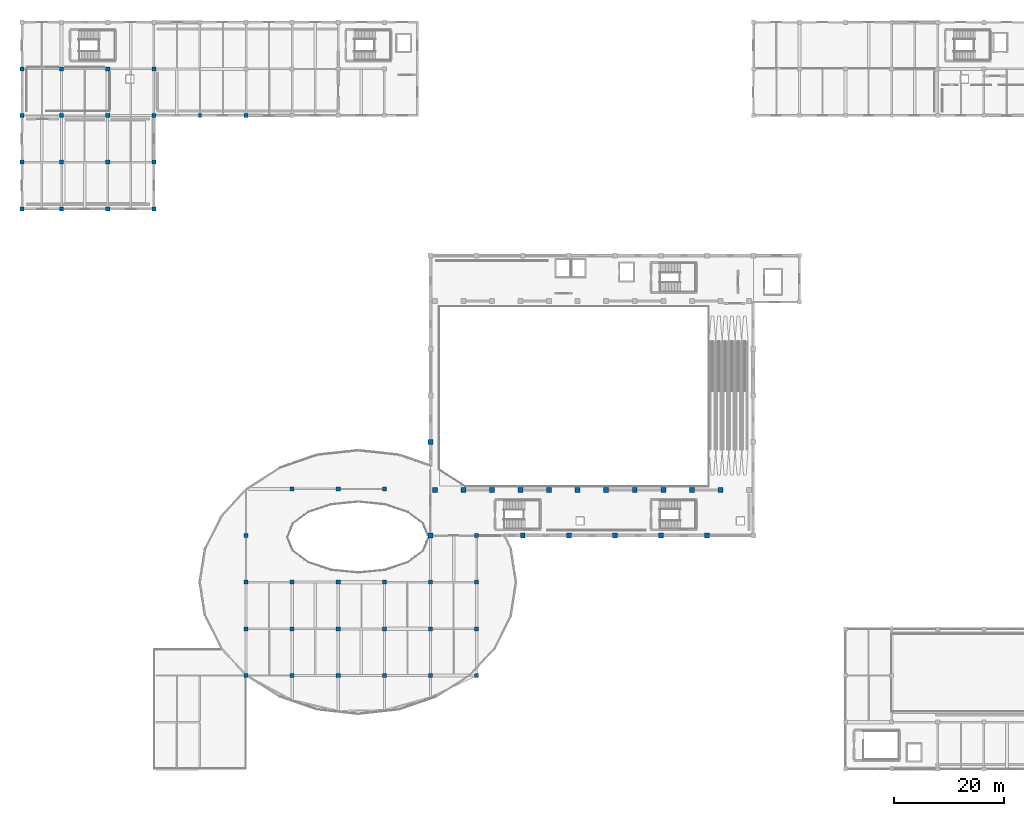
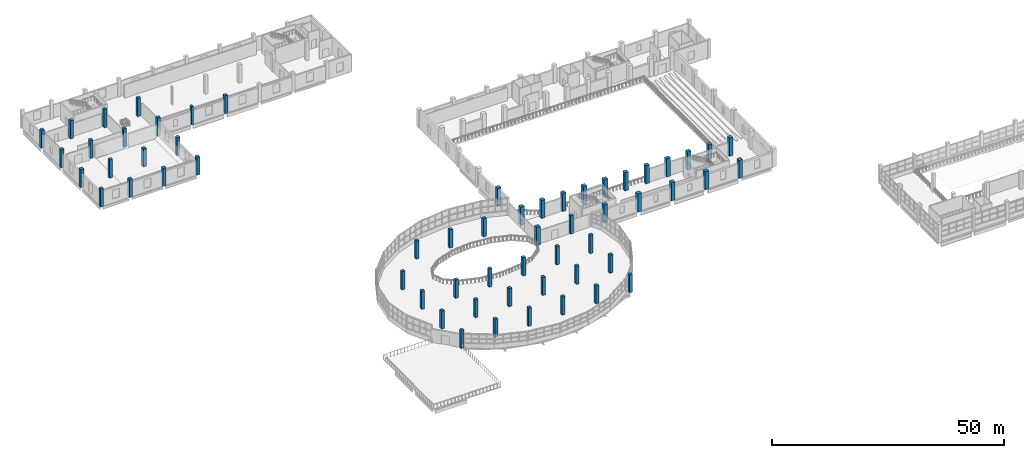
# One storey, part 1 of 77: 59 columns.
"""IFC4 building model written with IfcOpenShell, lengths in metres."""

import ifcopenshell
import ifcopenshell.guid

model = None  # the IFC model being written
_history = None  # IfcOwnerHistory: only IFC2X3 demands one
_inside = {}  # id of a spatial element -> (the spatial element, [elements in it])
_under = {}  # id of a project, library or spatial element -> (it, [spatial elements below it])
_declared = {}  # id of a project -> (the project, [libraries it declares])
_typed = {}  # id of a type object -> (the type object, [elements of that type])
_made_of = {}  # id of a material, layer set ... -> (it, [elements and type objects made of it])


def new_model(schema):
    """Start an empty IFC model of exactly this schema.

    Asked for "IFC4X3", IfcOpenShell would pick the latest addendum, in which some entities
    have other attributes; the version numbers below select the first issue.
    IFC2X3 requires an IfcOwnerHistory on every rooted entity: one is made here for all.
    """
    global model, _history
    if schema == "IFC4X3":
        model = ifcopenshell.file(schema_version=(4, 3, 0, 0))
    else:
        model = ifcopenshell.file(schema=schema)
    _inside.clear()
    _under.clear()
    _declared.clear()
    _typed.clear()
    _made_of.clear()
    _history = None
    if model.schema == "IFC2X3":
        org = make("IfcOrganization", Name="unknown")
        user = make(
            "IfcPersonAndOrganization",
            ThePerson=make("IfcPerson", FamilyName="unknown"),
            TheOrganization=org,
        )
        app = make(
            "IfcApplication",
            ApplicationDeveloper=org,
            Version="unknown",
            ApplicationFullName="unknown",
            ApplicationIdentifier="unknown",
        )
        _history = make(
            "IfcOwnerHistory",
            OwningUser=user,
            OwningApplication=app,
            ChangeAction="ADDED",
            CreationDate=0,
        )
    return model


def make(cls, **values):
    """One entity of the class cls with the attributes given. An attribute that is None is left unset."""
    return model.create_entity(
        cls, **{name: value for name, value in values.items() if value is not None}
    )


def rooted(cls, **values):
    """An entity with a GlobalId (a new one), such as an element, a storey or a relation."""
    return make(cls, GlobalId=ifcopenshell.guid.new(), OwnerHistory=_history, **values)


def si_unit(unit_type, name, prefix=None):
    """IfcSIUnit, for example si_unit("LENGTHUNIT", "METRE", prefix="MILLI")."""
    return make("IfcSIUnit", UnitType=unit_type, Prefix=prefix, Name=name)


def assignment(units):
    """IfcUnitAssignment: the units of a project."""
    return None if units is None else make("IfcUnitAssignment", Units=units)


def point(xyz):
    """IfcCartesianPoint."""
    return None if xyz is None else make("IfcCartesianPoint", Coordinates=xyz)


def direction(xyz):
    """IfcDirection."""
    return None if xyz is None else make("IfcDirection", DirectionRatios=xyz)


def frame(location, z_axis=None, x_axis=None):
    """IfcAxis2Placement3D, a coordinate frame: its origin and axes. An axis left out is left unset."""
    return make(
        "IfcAxis2Placement3D",
        Location=point(location),
        Axis=direction(z_axis),
        RefDirection=direction(x_axis),
    )


def frame_2d(location, x_axis=None):
    """IfcAxis2Placement2D, a coordinate frame in the plane: its origin and x axis."""
    return make(
        "IfcAxis2Placement2D", Location=point(location), RefDirection=direction(x_axis)
    )


def origin():
    """The frame at (0, 0, 0) with its axes left unset."""
    return frame((0.0, 0.0, 0.0))


def origin_2d():
    """The frame at (0, 0) in the plane with its x axis left unset."""
    return frame_2d((0.0, 0.0))


def place(relative_to, where):
    """IfcLocalPlacement: puts the frame where relative to a parent placement (None: the world)."""
    return make(
        "IfcLocalPlacement", PlacementRelTo=relative_to, RelativePlacement=where
    )


def context(
    kind, dimensions, precision=None, world=None, true_north=None, identifier=None
):
    """IfcGeometricRepresentationContext, for example the 3D "Model" context."""
    return make(
        "IfcGeometricRepresentationContext",
        ContextIdentifier=identifier,
        ContextType=kind,
        CoordinateSpaceDimension=dimensions,
        Precision=precision,
        WorldCoordinateSystem=world,
        TrueNorth=true_north,
    )


def subcontext(parent, identifier, kind, view, scale=None):
    """IfcGeometricRepresentationSubContext, for example "Body" below "Model"."""
    return make(
        "IfcGeometricRepresentationSubContext",
        ContextIdentifier=identifier,
        ContextType=kind,
        ParentContext=parent,
        TargetScale=scale,
        TargetView=view,
    )


def project(units=None, contexts=None):
    """IfcProject with its units and contexts."""
    return rooted(
        "IfcProject",
        Name="project",
        RepresentationContexts=contexts,
        UnitsInContext=assignment(units),
    )


def spatial(cls, under=None, at=None, **own):
    """A site, building, storey or space (cls), placed at a placement, below another one or the project."""
    s = rooted(cls, ObjectPlacement=at, **own)
    if under is not None:
        _under.setdefault(under.id(), (under, []))[1].append(s)
    return s


def profile(cls, at=None, kind="AREA", **sizes):
    """A parametric profile (cls). Its sizes go by their IFC names, for example OverallWidth=200.0."""
    return make(cls, ProfileType=kind, Position=at, **sizes)


def rectangle(**sizes):
    """IfcRectangleProfileDef."""
    return profile("IfcRectangleProfileDef", **sizes)


def extrude(swept, where, along, depth):
    """IfcExtrudedAreaSolid: the profile swept, set in the frame where, extruded along a direction by depth."""
    return make(
        "IfcExtrudedAreaSolid",
        SweptArea=swept,
        Position=where,
        ExtrudedDirection=direction(along),
        Depth=depth,
    )


def shape(context_of_items, identifier, shape_type, items):
    """IfcShapeRepresentation: the items that make up one representation, for example the "Body"."""
    return make(
        "IfcShapeRepresentation",
        ContextOfItems=context_of_items,
        RepresentationIdentifier=identifier,
        RepresentationType=shape_type,
        Items=items,
    )


def material(Name=None, Category=None):
    """IfcMaterial."""
    return make("IfcMaterial", Name=Name, Category=Category)


def material_profile(
    of_material, cross_section, Name=None, Category=None, Priority=None
):
    """IfcMaterialProfile: a cross section and its material."""
    return make(
        "IfcMaterialProfile",
        Name=Name,
        Material=of_material,
        Profile=cross_section,
        Priority=Priority,
        Category=Category,
    )


def profile_set(profiles, Name=None, composite=None):
    """IfcMaterialProfileSet."""
    return make(
        "IfcMaterialProfileSet",
        Name=Name,
        MaterialProfiles=profiles,
        CompositeProfile=composite,
    )


def made_of(thing, what):
    """Note that an element or type object is made of a material, layer set ...; save() writes the relation."""
    if what is not None:
        _made_of.setdefault(what.id(), (what, []))[1].append(thing)
    return thing


def type_object(cls, material=None, **own):
    """A type object (cls), such as IfcWallType, which elements share."""
    return made_of(rooted(cls, **own), material)


def element(
    cls,
    number,
    at=None,
    inside=None,
    cuts=None,
    type_object=None,
    material=None,
    context=None,
    identifier="Body",
    shape_type=None,
    held_by="IfcProductDefinitionShape",
    body=None,
    shapes=None,
    **own,
):
    """One element of the class cls, such as IfcWall. Its Tag is "e" and its number.

    at: its placement. inside: the storey or other place that contains it. cuts: it is an
    opening in that element (IfcRelVoidsElement). A single representation is given by context,
    identifier, shape_type and body (its items); several are given by shapes. held_by: the class
    of the entity that holds the representations. save() writes the other relations.
    """
    e = rooted(cls, Tag="e%d" % number, ObjectPlacement=at, **own)
    if body is not None:
        shapes = [shape(context, identifier, shape_type, body)]
    if shapes is not None:
        e.Representation = make(held_by, Representations=shapes)
    if inside is not None:
        _inside.setdefault(inside.id(), (inside, []))[1].append(e)
    if cuts is not None:
        rooted(
            "IfcRelVoidsElement", RelatingBuildingElement=cuts, RelatedOpeningElement=e
        )
    if type_object is not None:
        _typed.setdefault(type_object.id(), (type_object, []))[1].append(e)
    return made_of(e, material)


def aggregate(whole, parts):
    """IfcRelAggregates: a whole, such as a stair, and the parts it consists of."""
    return rooted("IfcRelAggregates", RelatingObject=whole, RelatedObjects=parts)


def save(model, path):
    """Write the relations noted so far, then the file.

    IfcRelAggregates (storeys below a building ...), IfcRelContainedInSpatialStructure (elements
    in a storey), IfcRelDefinesByType, IfcRelAssociatesMaterial and IfcRelDeclares: one each for
    every whole, place, type object, material and project.
    """
    for whole, parts in _under.values():
        aggregate(whole, parts)
    for where, things in _inside.values():
        rooted(
            "IfcRelContainedInSpatialStructure",
            RelatedElements=things,
            RelatingStructure=where,
        )
    for kind, things in _typed.values():
        rooted("IfcRelDefinesByType", RelatedObjects=things, RelatingType=kind)
    for what, things in _made_of.values():
        rooted("IfcRelAssociatesMaterial", RelatedObjects=things, RelatingMaterial=what)
    for by, libraries in _declared.values():
        rooted("IfcRelDeclares", RelatingContext=by, RelatedDefinitions=libraries)
    model.write(path)


model = new_model("IFC4")

# Units and contexts
model_context = context("Model", 3, precision=1e-05, world=origin(), true_north=direction((0.0, 1.0)))
body_context = subcontext(model_context, "Body", "Model", "MODEL_VIEW")
ifc_project = project(units=[si_unit("LENGTHUNIT", "METRE"), si_unit("AREAUNIT", "SQUARE_METRE"), si_unit("VOLUMEUNIT", "CUBIC_METRE"), si_unit("PLANEANGLEUNIT", "RADIAN"), si_unit("MASSUNIT", "GRAM", prefix="KILO")], contexts=[model_context])

# Site, building, storey
site_placement = place(None, origin())
site = spatial("IfcSite", under=ifc_project, at=site_placement, CompositionType="ELEMENT")
building_placement = place(site_placement, origin())
building = spatial("IfcBuilding", under=site, at=building_placement, Name="Solvento Point Concert Hall", CompositionType="ELEMENT")
storey_placement = place(building_placement, frame((0.0, 0.0, 10.199951171875)))
storey = spatial("IfcBuildingStorey", under=building, at=storey_placement, Name="L02", CompositionType="ELEMENT", Elevation=10.199951171875)

# Columns
ifc_material_1 = material(Name="Concrete C40/50", Category="concrete")
ifc_material_profile_1 = material_profile(ifc_material_1, rectangle(XDim=0.75, YDim=0.75, at=origin_2d()), Name="RC-COL-750X750")
ifc_profile_set_1 = profile_set([ifc_material_profile_1], Name="Concrete C40/50")
column_type_1 = type_object("IfcColumnType", Name="Col_RC_750", PredefinedType="COLUMN", material=ifc_profile_set_1)
for number, where, z_axis, x_axis, name in (
    (1, (0.0, 102.0, 0.0), (0.0, 0.0, 1.0), (1.0, 0.0, 0.0), "Column C-29 01/N L02"),
    (2, (0.0, 110.5, 0.0), (0.0, 0.0, 1.0), (1.0, 0.0, 0.0), "Column C-29 01/P L02"),
    (3, (0.0, 119.0, 0.0), (0.0, 0.0, 1.0), (1.0, 0.0, 0.0), "Column C-29 01/Q L02"),
    (4, (0.0, 127.5, 0.0), (0.0, 0.0, 1.0), (1.0, 0.0, 0.0), "Column C-29 01/R L02"),
    (5, (7.199951171875, 102.0, 0.0), (0.0, 0.0, 1.0), (1.0, 0.0, 0.0), "Column C-29 02/N L02"),
    (6, (7.199951171875, 110.5, 0.0), (0.0, 0.0, 1.0), (1.0, 0.0, 0.0), "Column C-29 02/P L02"),
    (7, (7.199951171875, 119.0, 0.0), (0.0, 0.0, 1.0), (1.0, 0.0, 0.0), "Column C-29 02/Q L02"),
    (8, (7.199951171875, 127.5, 0.0), (0.0, 0.0, 1.0), (1.0, 0.0, 0.0), "Column C-29 02/R L02"),
    (9, (15.60009765625, 102.0, 0.0), (0.0, 0.0, 1.0), (1.0, 0.0, 0.0), "Column C-29 03/N L02"),
    (10, (15.60009765625, 110.5, 0.0), (0.0, 0.0, 1.0), (1.0, 0.0, 0.0), "Column C-29 03/P L02"),
    (11, (15.60009765625, 119.0, 0.0), (0.0, 0.0, 1.0), (1.0, 0.0, 0.0), "Column C-29 03/Q L02"),
    (12, (15.60009765625, 127.5, 0.0), (0.0, 0.0, 1.0), (1.0, 0.0, 0.0), "Column C-29 03/R L02"),
    (13, (24.0, 102.0, 0.0), (0.0, 0.0, 1.0), (1.0, 0.0, 0.0), "Column C-29 04/N L02"),
    (14, (24.0, 110.5, 0.0), (0.0, 0.0, 1.0), (1.0, 0.0, 0.0), "Column C-29 04/P L02"),
    (15, (24.0, 119.0, 0.0), (0.0, 0.0, 1.0), (1.0, 0.0, 0.0), "Column C-29 04/Q L02"),
    (16, (24.0, 127.5, 0.0), (0.0, 0.0, 1.0), (1.0, 0.0, 0.0), "Column C-29 04/R L02"),
    (17, (40.800048828125, 17.0, 0.0), (0.0, 0.0, 1.0), (1.0, 0.0, 0.0), "Column C-29 06/C L02"),
    (18, (40.800048828125, 25.5, 0.0), (0.0, 0.0, 1.0), (1.0, 0.0, 0.0), "Column C-29 06/D L02"),
    (19, (40.800048828125, 34.0, 0.0), (0.0, 0.0, 1.0), (1.0, 0.0, 0.0), "Column C-29 06/E L02"),
    (20, (40.800048828125, 42.5, 0.0), (0.0, 0.0, 1.0), (1.0, 0.0, 0.0), "Column C-29 06/F L02"),
    (21, (40.800048828125, 119.0, 0.0), (0.0, 0.0, 1.0), (1.0, 0.0, 0.0), "Column C-29 06/Q L02"),
    (22, (49.199951171875, 17.0, 0.0), (0.0, 0.0, 1.0), (1.0, 0.0, 0.0), "Column C-29 07/C L02"),
    (23, (49.199951171875, 25.5, 0.0), (0.0, 0.0, 1.0), (1.0, 0.0, 0.0), "Column C-29 07/D L02"),
    (24, (49.199951171875, 34.0, 0.0), (0.0, 0.0, 1.0), (1.0, 0.0, 0.0), "Column C-29 07/E L02"),
    (25, (49.199951171875, 51.0, 0.0), (0.0, 0.0, 1.0), (1.0, 0.0, 0.0), "Column C-29 07/G L02"),
    (26, (57.60009765625, 17.0, 0.0), (0.0, 0.0, 1.0), (1.0, 0.0, 0.0), "Column C-29 08/C L02"),
    (27, (57.60009765625, 25.5, 0.0), (0.0, 0.0, 1.0), (1.0, 0.0, 0.0), "Column C-29 08/D L02"),
    (28, (57.60009765625, 34.0, 0.0), (0.0, 0.0, 1.0), (1.0, 0.0, 0.0), "Column C-29 08/E L02"),
    (29, (57.60009765625, 51.0, 0.0), (0.0, 0.0, 1.0), (1.0, 0.0, 0.0), "Column C-29 08/G L02"),
    (30, (66.0, 17.0, 0.0), (0.0, 0.0, 1.0), (1.0, 0.0, 0.0), "Column C-29 09/C L02"),
    (31, (66.0, 25.5, 0.0), (0.0, 0.0, 1.0), (1.0, 0.0, 0.0), "Column C-29 09/D L02"),
    (32, (66.0, 34.0, 0.0), (0.0, 0.0, 1.0), (1.0, 0.0, 0.0), "Column C-29 09/E L02"),
    (33, (66.0, 51.0, 0.0), (0.0, 0.0, 1.0), (1.0, 0.0, 0.0), "Column C-29 09/G L02"),
    (34, (74.39990234375, 17.0, 0.0), (0.0, 0.0, 1.0), (1.0, 0.0, 0.0), "Column C-29 10/C L02"),
    (35, (74.39990234375, 25.5, 0.0), (0.0, 0.0, 1.0), (1.0, 0.0, 0.0), "Column C-29 10/D L02"),
    (36, (74.39990234375, 34.0, 0.0), (0.0, 0.0, 1.0), (1.0, 0.0, 0.0), "Column C-29 10/E L02"),
    (37, (82.800048828125, 17.0, 0.0), (0.0, 0.0, 1.0), (1.0, 0.0, 0.0), "Column C-29 11/C L02"),
    (38, (82.800048828125, 25.5, 0.0), (0.0, 0.0, 1.0), (1.0, 0.0, 0.0), "Column C-29 11/D L02"),
    (39, (82.800048828125, 34.0, 0.0), (0.0, 0.0, 1.0), (1.0, 0.0, 0.0), "Column C-29 11/E L02"),
    (40, (82.800048828125, 42.5, 0.0), (0.0, 0.0, 1.0), (1.0, 0.0, 0.0), "Column C-29 11/F L02"),
):
    element("IfcColumn", number, at=place(storey_placement, frame(where, z_axis=z_axis, x_axis=x_axis)), inside=storey, type_object=column_type_1, Name=name, PredefinedType="COLUMN", context=body_context, shape_type="SweptSolid", body=[
        extrude(rectangle(XDim=0.75, YDim=0.75, at=origin_2d()), origin(), (0.0, 0.0, 1.0), 4.800048828125),
    ])
ifc_material_2 = material(Name="Concrete C40/50", Category="concrete")
ifc_material_profile_2 = material_profile(ifc_material_2, rectangle(XDim=0.89990234375, YDim=0.89990234375, at=origin_2d()), Name="RC-COL-900X900")
ifc_profile_set_2 = profile_set([ifc_material_profile_2], Name="Concrete C40/50")
column_type_2 = type_object("IfcColumnType", Name="Col_RC_900", PredefinedType="COLUMN", material=ifc_profile_set_2)
for number, where, z_axis, x_axis, name in (
    (41, (74.39990234375, 42.5, 0.0), (0.0, 0.0, 1.0), (1.0, 0.0, 0.0), "Column C-14 10/F L02"),
    (42, (74.39990234375, 59.5, 0.0), (0.0, 0.0, 1.0), (1.0, 0.0, 0.0), "Column C-14 10/H L02"),
    (43, (91.199951171875, 42.5, 0.0), (0.0, 0.0, 1.0), (1.0, 0.0, 0.0), "Column C-14 12/F L02"),
    (44, (99.60009765625, 42.5, 0.0), (0.0, 0.0, 1.0), (1.0, 0.0, 0.0), "Column C-14 13/F L02"),
    (45, (108.0, 42.5, 0.0), (0.0, 0.0, 1.0), (1.0, 0.0, 0.0), "Column C-14 14/F L02"),
    (46, (116.39990234375, 42.5, 0.0), (0.0, 0.0, 1.0), (1.0, 0.0, 0.0), "Column C-14 15/F L02"),
    (47, (124.800048828125, 42.5, 0.0), (0.0, 0.0, 1.0), (1.0, 0.0, 0.0), "Column C-14 16/F L02"),
    (48, (75.199951171875, 50.800048828125, 0.0), (0.0, 0.0, 1.0), (1.0, 0.0, 0.0), "Symphonic drum column C-14 DS01 L02"),
    (49, (80.39990234375, 50.800048828125, 0.0), (0.0, 0.0, 1.0), (1.0, 0.0, 0.0), "Symphonic drum column C-14 DS02 L02"),
    (50, (85.60009765625, 50.800048828125, 0.0), (0.0, 0.0, 1.0), (1.0, 0.0, 0.0), "Symphonic drum column C-14 DS03 L02"),
    (51, (90.800048828125, 50.800048828125, 0.0), (0.0, 0.0, 1.0), (1.0, 0.0, 0.0), "Symphonic drum column C-14 DS04 L02"),
    (52, (96.0, 50.800048828125, 0.0), (0.0, 0.0, 1.0), (1.0, 0.0, 0.0), "Symphonic drum column C-14 DS05 L02"),
    (53, (101.199951171875, 50.800048828125, 0.0), (0.0, 0.0, 1.0), (1.0, 0.0, 0.0), "Symphonic drum column C-14 DS06 L02"),
    (54, (106.39990234375, 50.800048828125, 0.0), (0.0, 0.0, 1.0), (1.0, 0.0, 0.0), "Symphonic drum column C-14 DS07 L02"),
    (55, (111.60009765625, 50.800048828125, 0.0), (0.0, 0.0, 1.0), (1.0, 0.0, 0.0), "Symphonic drum column C-14 DS08 L02"),
    (56, (116.800048828125, 50.800048828125, 0.0), (0.0, 0.0, 1.0), (1.0, 0.0, 0.0), "Symphonic drum column C-14 DS09 L02"),
    (57, (122.0, 50.800048828125, 0.0), (0.0, 0.0, 1.0), (1.0, 0.0, 0.0), "Symphonic drum column C-14 DS10 L02"),
    (58, (127.199951171875, 50.800048828125, 0.0), (0.0, 0.0, 1.0), (1.0, 0.0, 0.0), "Symphonic drum column C-14 DS11 L02"),
):
    element("IfcColumn", number, at=place(storey_placement, frame(where, z_axis=z_axis, x_axis=x_axis)), inside=storey, type_object=column_type_2, Name=name, PredefinedType="COLUMN", context=body_context, shape_type="SweptSolid", body=[
        extrude(rectangle(XDim=0.89990234375, YDim=0.89990234375, at=origin_2d()), origin(), (0.0, 0.0, 1.0), 4.800048828125),
    ])
ifc_material_3 = material(Name="Concrete C40/50", Category="concrete")
ifc_material_profile_3 = material_profile(ifc_material_3, rectangle(XDim=0.5, YDim=0.800048828125, at=origin_2d()), Name="RC-PIL-500X800")
ifc_profile_set_3 = profile_set([ifc_material_profile_3], Name="Concrete C40/50")
column_type_3 = type_object("IfcColumnType", Name="Pilaster_500x800", PredefinedType="PILASTER", material=ifc_profile_set_3)
column_placement = place(storey_placement, frame((32.39990234375, 119.0, 0.0), z_axis=(0.0, 0.0, 1.0), x_axis=(1.0, 0.0, 0.0)))
element("IfcColumn", 59, at=column_placement, inside=storey, type_object=column_type_3, Name="Column C-70 05/Q L02", PredefinedType="PILASTER", context=body_context, shape_type="SweptSolid", body=[
    extrude(rectangle(XDim=0.5, YDim=0.800048828125, at=origin_2d()), origin(), (0.0, 0.0, 1.0), 4.800048828125),
])

save(model, "model.ifc")
